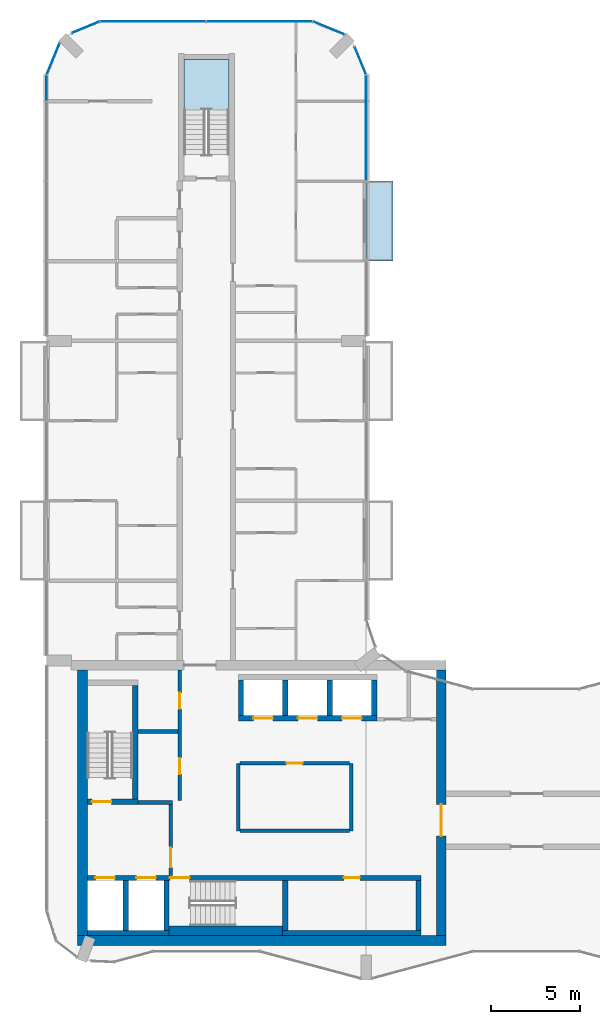
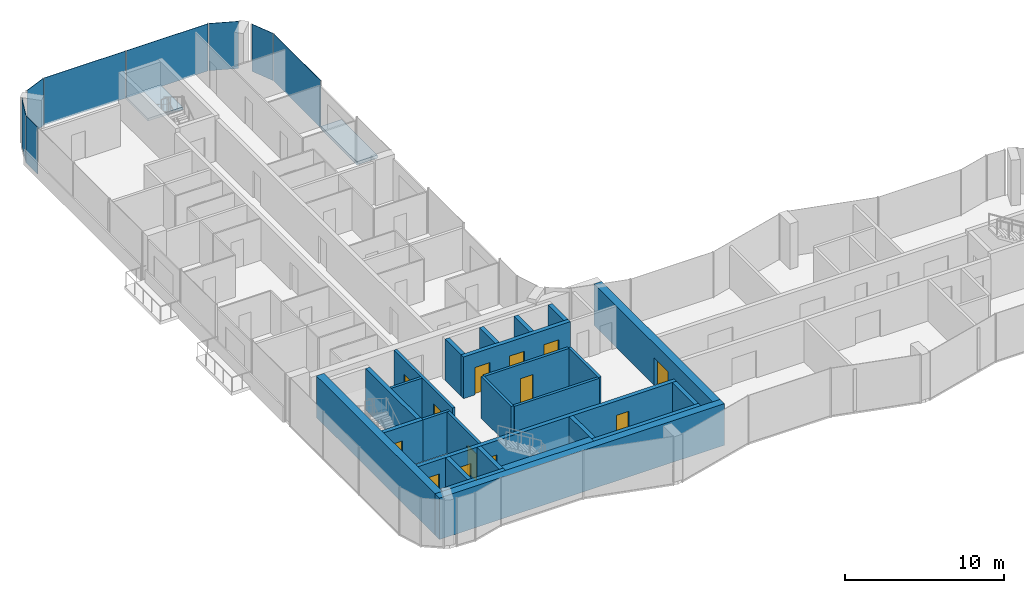
# One storey, part 9 of 16: 26 walls, 13 doors, 8 plates, 2 slabs, 13 openings, 8 elements without a shape of their own.
"""IFC4 building model written with IfcOpenShell, lengths in metres."""

from ifc_helpers import new_model, si_unit, direction, frame, frame_2d, origin, origin_2d, place, context, subcontext, project, spatial, polyline, rectangle, outline, extrude, material, layer, layer_set, type_object, element, fill, aggregate, save


model = new_model("IFC4")

# Units and contexts
model_context = context("Model", 3, precision=1e-05, world=origin(), true_north=direction((0.0, 1.0)))
body_context = subcontext(model_context, "Body", "Model", "MODEL_VIEW")
ifc_project = project(units=[si_unit("LENGTHUNIT", "METRE"), si_unit("AREAUNIT", "SQUARE_METRE"), si_unit("VOLUMEUNIT", "CUBIC_METRE"), si_unit("PLANEANGLEUNIT", "RADIAN"), si_unit("MASSUNIT", "GRAM", prefix="KILO")], contexts=[model_context])

# Site, building, storey
site_placement = place(None, origin())
site = spatial("IfcSite", under=ifc_project, at=site_placement, CompositionType="ELEMENT")
building_placement = place(site_placement, origin())
building = spatial("IfcBuilding", under=site, at=building_placement, Name="Plateau Cross Towers", CompositionType="ELEMENT")
storey_placement = place(building_placement, frame((0.0, 0.0, 181.39990234375)))
storey = spatial("IfcBuildingStorey", under=building, at=storey_placement, Name="L47", CompositionType="ELEMENT", Elevation=181.39990234375)

# Slab
ifc_material_1 = material(Name="Concrete C40/50", Category="concrete")
ifc_layer_1 = layer(ifc_material_1, 0.25)
ifc_layer_set_1 = layer_set([ifc_layer_1], Name="Concrete C40/50")
slab_type_1 = type_object("IfcSlabType", Name="Balcony slab 250", PredefinedType="FLOOR", material=ifc_layer_set_1)
slab_1_placement = place(storey_placement, frame((0.0, 0.0, -0.25)))
element("IfcSlab", 1, at=slab_1_placement, inside=storey, type_object=slab_type_1, Name="Balcony slab A-BAL-L47-05", PredefinedType="FLOOR", context=body_context, shape_type="SweptSolid", body=[
    extrude(outline(polyline([(19.5, 40.5), (19.5, 45.0), (18.0, 45.0), (18.0, 40.5), (19.5, 40.5)])), origin(), (0.0, 0.0, 1.0), 0.25),
])

# Curtain wall, plate
ifc_material_2 = material(Name="Dark low-iron glass", Category="glass")
ifc_layer_2 = layer(ifc_material_2, 0.239990234375)
ifc_layer_set_2 = layer_set([ifc_layer_2], Name="Dark low-iron glass")
curtain_wall_type = type_object("IfcCurtainWallType", Name="Curtain wall flush unitised CW-B", PredefinedType="NOTDEFINED", material=ifc_layer_set_2)
curtain_wall_1_placement = place(storey_placement, origin())
curtain_wall_1 = element("IfcCurtainWall", 2, at=curtain_wall_1_placement, inside=storey, type_object=curtain_wall_type, Name="ENV/A/L47/A180_450", PredefinedType="NOTDEFINED")
ifc_layer_3 = layer(ifc_material_2, 0.031982421875)
ifc_layer_set_3 = layer_set([ifc_layer_3], Name="Dark low-iron glass")
plate_type = type_object("IfcPlateType", Name="Glass panel 32 flush unitised", PredefinedType="CURTAIN_PANEL", material=ifc_layer_set_3)
plate_1_placement = place(storey_placement, frame((18.0, 48.0048828125, -0.1298828125), z_axis=(0.0, 0.0, 1.0), x_axis=(0.0, 1.0, 0.0)))
plate_1 = element("IfcPlate", 3, at=plate_1_placement, type_object=plate_type, Name="CW-B panel 1", PredefinedType="CURTAIN_PANEL", context=body_context, shape_type="SweptSolid", body=[
    extrude(rectangle(XDim=5.929931640625, YDim=0.031982421875, at=origin_2d()), origin(), (0.0, 0.0, 1.0), 3.6298828125),
])
aggregate(curtain_wall_1, [plate_1])

curtain_wall_2_placement = place(storey_placement, origin())
curtain_wall_2 = element("IfcCurtainWall", 4, at=curtain_wall_2_placement, inside=storey, type_object=curtain_wall_type, Name="ENV/A/L47/A180_510", PredefinedType="NOTDEFINED")
plate_2_placement = place(storey_placement, frame((17.66943359375, 51.79833984375, -0.1298828125), z_axis=(0.0, 0.0, 1.0), x_axis=(-0.382683612978, 0.923879457699, 0.0)))
plate_2 = element("IfcPlate", 5, at=plate_2_placement, type_object=plate_type, Name="CW-B panel 1", PredefinedType="CURTAIN_PANEL", context=body_context, shape_type="SweptSolid", body=[
    extrude(rectangle(XDim=1.668212890625, YDim=0.031982421875, at=origin_2d()), origin(), (0.0, 0.0, 1.0), 3.6298828125),
])
aggregate(curtain_wall_2, [plate_2])

curtain_wall_3_placement = place(storey_placement, origin())
curtain_wall_3 = element("IfcCurtainWall", 6, at=curtain_wall_3_placement, inside=storey, type_object=curtain_wall_type, Name="ENV/A/L47/A168_533", PredefinedType="NOTDEFINED")
plate_3_placement = place(storey_placement, frame((15.90283203125, 53.6259765625, -0.1298828125), z_axis=(0.0, 0.0, 1.0), x_axis=(-0.923879457699, 0.382683612978, 0.0)))
plate_3 = element("IfcPlate", 7, at=plate_3_placement, type_object=plate_type, Name="CW-B panel 1", PredefinedType="CURTAIN_PANEL", context=body_context, shape_type="SweptSolid", body=[
    extrude(rectangle(XDim=1.894775390625, YDim=0.031982421875, at=origin_2d()), origin(), (0.0, 0.0, 1.0), 3.6298828125),
])
aggregate(curtain_wall_3, [plate_3])

# Curtain wall, plates
curtain_wall_4_placement = place(storey_placement, origin())
curtain_wall_4 = element("IfcCurtainWall", 8, at=curtain_wall_4_placement, inside=storey, type_object=curtain_wall_type, Name="ENV/A/L47/A150_540", PredefinedType="NOTDEFINED")
plate_4_placement = place(storey_placement, frame((12.0, 54.0, -0.1298828125), z_axis=(0.0, 0.0, 1.0), x_axis=(-1.0, 0.0, 0.0)))
plate_4 = element("IfcPlate", 9, at=plate_4_placement, type_object=plate_type, Name="CW-B panel 1", PredefinedType="CURTAIN_PANEL", context=body_context, shape_type="SweptSolid", body=[
    extrude(rectangle(XDim=5.93994140625, YDim=0.031982421875, at=origin_2d()), origin(), (0.0, 0.0, 1.0), 3.6298828125),
])
plate_5_placement = place(storey_placement, frame((6.0, 54.0, -0.1298828125), z_axis=(0.0, 0.0, 1.0), x_axis=(-1.0, 0.0, 0.0)))
plate_5 = element("IfcPlate", 10, at=plate_5_placement, type_object=plate_type, Name="CW-B panel 2", PredefinedType="CURTAIN_PANEL", context=body_context, shape_type="SweptSolid", body=[
    extrude(rectangle(XDim=5.93994140625, YDim=0.031982421875, at=origin_2d()), origin(), (0.0, 0.0, 1.0), 3.6298828125),
])
aggregate(curtain_wall_4, [plate_4, plate_5])

# Curtain wall, plate
curtain_wall_5_placement = place(storey_placement, origin())
curtain_wall_5 = element("IfcCurtainWall", 11, at=curtain_wall_5_placement, inside=storey, type_object=curtain_wall_type, Name="ENV/A/L47/A30_540", PredefinedType="NOTDEFINED")
plate_6_placement = place(storey_placement, frame((2.20166015625, 53.66943359375, -0.1298828125), z_axis=(0.0, 0.0, 1.0), x_axis=(-0.923879457699, -0.382683612978, 0.0)))
plate_6 = element("IfcPlate", 12, at=plate_6_placement, type_object=plate_type, Name="CW-B panel 1", PredefinedType="CURTAIN_PANEL", context=body_context, shape_type="SweptSolid", body=[
    extrude(rectangle(XDim=1.668212890625, YDim=0.031982421875, at=origin_2d()), origin(), (0.0, 0.0, 1.0), 3.6298828125),
])
aggregate(curtain_wall_5, [plate_6])

curtain_wall_6_placement = place(storey_placement, origin())
curtain_wall_6 = element("IfcCurtainWall", 13, at=curtain_wall_6_placement, inside=storey, type_object=curtain_wall_type, Name="ENV/A/L47/A7_528", PredefinedType="NOTDEFINED")
plate_7_placement = place(storey_placement, frame((0.3740234375, 51.90283203125, -0.1298828125), z_axis=(0.0, 0.0, 1.0), x_axis=(-0.382683612978, -0.923879457699, 0.0)))
plate_7 = element("IfcPlate", 14, at=plate_7_placement, type_object=plate_type, Name="CW-B panel 1", PredefinedType="CURTAIN_PANEL", context=body_context, shape_type="SweptSolid", body=[
    extrude(rectangle(XDim=1.894775390625, YDim=0.031982421875, at=origin_2d()), origin(), (0.0, 0.0, 1.0), 3.6298828125),
])
aggregate(curtain_wall_6, [plate_7])

curtain_wall_7_placement = place(storey_placement, origin())
curtain_wall_7 = element("IfcCurtainWall", 15, at=curtain_wall_7_placement, inside=storey, type_object=curtain_wall_type, Name="ENV/A/L47/A0_510", PredefinedType="NOTDEFINED")
plate_8_placement = place(storey_placement, frame((0.0, 50.25, -0.1298828125), z_axis=(0.0, 0.0, 1.0), x_axis=(0.0, -1.0, 0.0)))
plate_8 = element("IfcPlate", 16, at=plate_8_placement, type_object=plate_type, Name="CW-B panel 1", PredefinedType="CURTAIN_PANEL", context=body_context, shape_type="SweptSolid", body=[
    extrude(rectangle(XDim=1.43994140625, YDim=0.031982421875, at=origin_2d()), origin(), (0.0, 0.0, 1.0), 3.6298828125),
])
aggregate(curtain_wall_7, [plate_8])

# Stair, slab
stair_type = type_object("IfcStairType", Name="ST-TWR", PredefinedType="HALF_TURN_STAIR", material=ifc_material_1)
stair_placement = place(storey_placement, origin())
stair = element("IfcStair", 17, at=stair_placement, inside=storey, type_object=stair_type, Name="L47 Protected Exit Stair N", PredefinedType="HALF_TURN_STAIR")
ifc_layer_4 = layer(ifc_material_1, 0.199951171875)
ifc_layer_set_4 = layer_set([ifc_layer_4], Name="Concrete C40/50")
slab_type_2 = type_object("IfcSlabType", Name="SL-LANDING", PredefinedType="LANDING", material=ifc_layer_set_4)
slab_2_placement = place(storey_placement, frame((0.0, 0.0, 1.550048828125)))
slab_2 = element("IfcSlab", 18, at=slab_2_placement, type_object=slab_type_2, Name="ES-N landing 1", PredefinedType="LANDING", context=body_context, shape_type="SweptSolid", body=[
    extrude(outline(polyline([(10.27490234375, 49.02001953125), (10.27490234375, 51.85009765625), (7.72509765625, 51.85009765625), (7.72509765625, 49.02001953125), (10.27490234375, 49.02001953125)])), origin(), (0.0, 0.0, 1.0), 0.199951171875),
])
aggregate(stair, [slab_2])

# Wall, opening, door
ifc_material_3 = material(Name="Concrete block, plastered both sides", Category="concrete")
ifc_layer_5 = layer(ifc_material_3, 0.199951171875)
ifc_layer_set_5 = layer_set([ifc_layer_5], Name="Concrete block, plastered both sides")
wall_type_1 = type_object("IfcWallType", Name="Core partition 200", PredefinedType="PARTITIONING", material=ifc_layer_set_5)
wall_1_placement = place(storey_placement, frame((7.0, 5.89990234375, 0.0), z_axis=(0.0, 0.0, 1.0), x_axis=(0.0, 1.0, 0.0)))
wall_1 = element("IfcWall", 19, at=wall_1_placement, inside=storey, type_object=wall_type_1, Name="Core partition", PredefinedType="PARTITIONING", context=body_context, shape_type="SweptSolid", body=[
    extrude(rectangle(XDim=4.0, YDim=0.199951171875, at=frame_2d((2.0, 0.0))), origin(), (0.0, 0.0, 1.0), 3.2001953125),
])
opening_1_placement = place(wall_1_placement, frame((0.449951171875, 0.0, 0.0)))
opening_1 = element("IfcOpeningElement", 20, at=opening_1_placement, cuts=wall_1, Name="Opening FFD", PredefinedType="OPENING", context=body_context, shape_type="SweptSolid", body=[
    extrude(rectangle(XDim=1.10009765625, YDim=2.10009765625, at=frame_2d((0.550048828125, 1.050048828125))), frame((0.0, 0.10986328125, 0.0), z_axis=(0.0, -1.0, 0.0), x_axis=(1.0, 0.0, 0.0)), (0.0, 0.0, 1.0), 0.219970703125),
])
ifc_material_4 = material(Name="Steel, fire-resisting leaf", Category="steel")
door_type_1 = type_object("IfcDoorType", Name="Firefighting lobby door 1100", OperationType="NOTDEFINED", PredefinedType="DOOR", material=ifc_material_4)
door_1_placement = place(opening_1_placement, origin())
door_1 = element("IfcDoor", 21, at=door_1_placement, inside=storey, type_object=door_type_1, Name="Firefighting lobby door FFD", OperationType="SINGLE_SWING_LEFT", OverallHeight=2.10009765625, OverallWidth=1.10009765625, PredefinedType="DOOR", context=body_context, shape_type="SweptSolid", body=[
    extrude(rectangle(XDim=1.10009765625, YDim=2.10009765625, at=frame_2d((0.550048828125, 1.050048828125))), frame((0.0, 0.02490234375, 0.0), z_axis=(0.0, -1.0, 0.0), x_axis=(1.0, 0.0, 0.0)), (0.0, 0.0, 1.0), 0.050048828125),
])
fill(opening_1, door_1)

# Walls
wall_2_placement = place(storey_placement, frame((5.14990234375, 10.0, 0.0), z_axis=(0.0, 0.0, 1.0), x_axis=(1.0, 0.0, 0.0)))
element("IfcWall", 22, at=wall_2_placement, inside=storey, type_object=wall_type_1, Name="Core partition", PredefinedType="PARTITIONING", context=body_context, shape_type="SweptSolid", body=[
    extrude(rectangle(XDim=1.9501953125, YDim=0.199951171875, at=frame_2d((0.97509765625, 0.0))), origin(), (0.0, 0.0, 1.0), 3.2001953125),
])
wall_3_placement = place(storey_placement, frame((10.800048828125, 8.39990234375, 0.0), z_axis=(0.0, 0.0, 1.0), x_axis=(0.0, 1.0, 0.0)))
element("IfcWall", 23, at=wall_3_placement, inside=storey, type_object=wall_type_1, Name="Core partition", PredefinedType="PARTITIONING", context=body_context, shape_type="SweptSolid", body=[
    extrude(rectangle(XDim=3.800048828125, YDim=0.199951171875, at=frame_2d((1.89990234375, 0.0))), origin(), (0.0, 0.0, 1.0), 3.2001953125),
])
wall_4_placement = place(storey_placement, frame((10.89990234375, 8.39990234375, 0.0), z_axis=(0.0, 0.0, 1.0), x_axis=(1.0, 0.0, 0.0)))
element("IfcWall", 24, at=wall_4_placement, inside=storey, type_object=wall_type_1, Name="Core partition", PredefinedType="PARTITIONING", context=body_context, shape_type="SweptSolid", body=[
    extrude(rectangle(XDim=6.150146484375, YDim=0.199951171875, at=frame_2d((3.0751953125, 0.0))), origin(), (0.0, 0.0, 1.0), 3.2001953125),
])
wall_5_placement = place(storey_placement, frame((17.14990234375, 8.39990234375, 0.0), z_axis=(0.0, 0.0, 1.0), x_axis=(0.0, 1.0, 0.0)))
element("IfcWall", 25, at=wall_5_placement, inside=storey, type_object=wall_type_1, Name="Core partition", PredefinedType="PARTITIONING", context=body_context, shape_type="SweptSolid", body=[
    extrude(rectangle(XDim=3.800048828125, YDim=0.199951171875, at=frame_2d((1.89990234375, 0.0))), origin(), (0.0, 0.0, 1.0), 3.2001953125),
])

# Wall, opening, door
wall_6_placement = place(storey_placement, frame((10.89990234375, 12.199951171875, 0.0), z_axis=(0.0, 0.0, 1.0), x_axis=(1.0, 0.0, 0.0)))
wall_6 = element("IfcWall", 26, at=wall_6_placement, inside=storey, type_object=wall_type_1, Name="Core partition", PredefinedType="PARTITIONING", context=body_context, shape_type="SweptSolid", body=[
    extrude(rectangle(XDim=6.150146484375, YDim=0.199951171875, at=frame_2d((3.0751953125, 0.0))), origin(), (0.0, 0.0, 1.0), 3.2001953125),
])
opening_2_placement = place(wall_6_placement, frame((2.625, 0.0, 0.0)))
opening_2 = element("IfcOpeningElement", 27, at=opening_2_placement, cuts=wall_6, Name="Opening RD1", PredefinedType="OPENING", context=body_context, shape_type="SweptSolid", body=[
    extrude(rectangle(XDim=0.89990234375, YDim=2.10009765625, at=frame_2d((0.449951171875, 1.050048828125))), frame((0.0, 0.10986328125, 0.0), z_axis=(0.0, -1.0, 0.0), x_axis=(1.0, 0.0, 0.0)), (0.0, 0.0, 1.0), 0.219970703125),
])
ifc_material_5 = material(Name="Timber, fire-resisting leaf", Category="wood")
door_type_2 = type_object("IfcDoorType", Name="Core service door 900", OperationType="NOTDEFINED", PredefinedType="DOOR", material=ifc_material_5)
door_2_placement = place(opening_2_placement, origin())
door_2 = element("IfcDoor", 28, at=door_2_placement, inside=storey, type_object=door_type_2, Name="Core service door RD1", OperationType="SINGLE_SWING_LEFT", OverallHeight=2.10009765625, OverallWidth=0.89990234375, PredefinedType="DOOR", context=body_context, shape_type="SweptSolid", body=[
    extrude(rectangle(XDim=0.89990234375, YDim=2.10009765625, at=frame_2d((0.449951171875, 1.050048828125))), frame((0.0, 0.02490234375, 0.0), z_axis=(0.0, -1.0, 0.0), x_axis=(1.0, 0.0, 0.0)), (0.0, 0.0, 1.0), 0.050048828125),
])
fill(opening_2, door_2)

# Wall, openings, doors
wall_7_placement = place(storey_placement, frame((7.5, 10.10009765625, 0.0), z_axis=(0.0, 0.0, 1.0), x_axis=(0.0, 1.0, 0.0)))
wall_7 = element("IfcWall", 29, at=wall_7_placement, inside=storey, type_object=wall_type_1, Name="Core partition", PredefinedType="PARTITIONING", context=body_context, shape_type="SweptSolid", body=[
    extrude(rectangle(XDim=7.349853515625, YDim=0.199951171875, at=frame_2d((3.6748046875, 0.0))), origin(), (0.0, 0.0, 1.0), 3.2001953125),
])
opening_3_placement = place(wall_7_placement, frame((1.5, 0.0, 0.0)))
opening_3 = element("IfcOpeningElement", 30, at=opening_3_placement, cuts=wall_7, Name="Opening RD1", PredefinedType="OPENING", context=body_context, shape_type="SweptSolid", body=[
    extrude(rectangle(XDim=0.89990234375, YDim=2.10009765625, at=frame_2d((0.449951171875, 1.050048828125))), frame((0.0, 0.10986328125, 0.0), z_axis=(0.0, -1.0, 0.0), x_axis=(1.0, 0.0, 0.0)), (0.0, 0.0, 1.0), 0.219970703125),
])
opening_4_placement = place(wall_7_placement, frame((5.175048828125, 0.0, 0.0)))
opening_4 = element("IfcOpeningElement", 31, at=opening_4_placement, cuts=wall_7, Name="Opening RD1", PredefinedType="OPENING", context=body_context, shape_type="SweptSolid", body=[
    extrude(rectangle(XDim=0.89990234375, YDim=2.10009765625, at=frame_2d((0.449951171875, 1.050048828125))), frame((0.0, 0.10986328125, 0.0), z_axis=(0.0, -1.0, 0.0), x_axis=(1.0, 0.0, 0.0)), (0.0, 0.0, 1.0), 0.219970703125),
])
door_3_placement = place(opening_3_placement, origin())
door_3 = element("IfcDoor", 32, at=door_3_placement, inside=storey, type_object=door_type_2, Name="Core service door RD1", OperationType="SINGLE_SWING_RIGHT", OverallHeight=2.10009765625, OverallWidth=0.89990234375, PredefinedType="DOOR", context=body_context, shape_type="SweptSolid", body=[
    extrude(rectangle(XDim=0.89990234375, YDim=2.10009765625, at=frame_2d((0.449951171875, 1.050048828125))), frame((0.0, 0.02490234375, 0.0), z_axis=(0.0, -1.0, 0.0), x_axis=(1.0, 0.0, 0.0)), (0.0, 0.0, 1.0), 0.050048828125),
])
fill(opening_3, door_3)
door_4_placement = place(opening_4_placement, origin())
door_4 = element("IfcDoor", 33, at=door_4_placement, inside=storey, type_object=door_type_2, Name="Core service door RD1", OperationType="SINGLE_SWING_RIGHT", OverallHeight=2.10009765625, OverallWidth=0.89990234375, PredefinedType="DOOR", context=body_context, shape_type="SweptSolid", body=[
    extrude(rectangle(XDim=0.89990234375, YDim=2.10009765625, at=frame_2d((0.449951171875, 1.050048828125))), frame((0.0, 0.02490234375, 0.0), z_axis=(0.0, -1.0, 0.0), x_axis=(1.0, 0.0, 0.0)), (0.0, 0.0, 1.0), 0.050048828125),
])
fill(opening_4, door_4)

# Walls
wall_8_placement = place(storey_placement, frame((5.14990234375, 14.0, 0.0), z_axis=(0.0, 0.0, 1.0), x_axis=(1.0, 0.0, 0.0)))
element("IfcWall", 34, at=wall_8_placement, inside=storey, type_object=wall_type_1, Name="Core partition", PredefinedType="PARTITIONING", context=body_context, shape_type="SweptSolid", body=[
    extrude(rectangle(XDim=2.25, YDim=0.199951171875, at=frame_2d((1.125, 0.0))), origin(), (0.0, 0.0, 1.0), 3.2001953125),
])
ifc_material_6 = material(Name="Concrete C60/75", Category="concrete")
ifc_layer_6 = layer(ifc_material_6, 0.300048828125)
ifc_layer_set_6 = layer_set([ifc_layer_6], Name="Concrete C60/75")
wall_type_2 = type_object("IfcWallType", Name="Core shaft wall 300", PredefinedType="SHEAR", material=ifc_layer_set_6)
wall_9_placement = place(storey_placement, frame((2.300048828125, 2.64990234375, 0.0), z_axis=(0.0, 0.0, 1.0), x_axis=(1.0, 0.0, 0.0)))
element("IfcWall", 35, at=wall_9_placement, inside=storey, type_object=wall_type_2, Name="A-sb-back1@L47", PredefinedType="SHEAR", context=body_context, shape_type="SweptSolid", body=[
    extrude(rectangle(XDim=4.599853515625, YDim=0.300048828125, at=frame_2d((2.2998046875, 0.0))), origin(), (0.0, 0.0, 1.0), 3.2001953125),
])
wall_10_placement = place(storey_placement, frame((13.300048828125, 2.64990234375, 0.0), z_axis=(0.0, 0.0, 1.0), x_axis=(1.0, 0.0, 0.0)))
element("IfcWall", 36, at=wall_10_placement, inside=storey, type_object=wall_type_2, Name="A-sb-back3@L47", PredefinedType="SHEAR", context=body_context, shape_type="SweptSolid", body=[
    extrude(rectangle(XDim=7.800048828125, YDim=0.300048828125, at=frame_2d((3.89990234375, 0.0))), origin(), (0.0, 0.0, 1.0), 3.2001953125),
])
for number, where, z_axis, x_axis, name in (
    (37, (4.449951171875, 2.800048828125, 0.0), (0.0, 0.0, 1.0), (0.0, 1.0, 0.0), "A-sb-v1@L47"),
    (38, (6.75, 2.800048828125, 0.0), (0.0, 0.0, 1.0), (0.0, 1.0, 0.0), "A-sb-v2@L47"),
    (39, (13.449951171875, 2.800048828125, 0.0), (0.0, 0.0, 1.0), (0.0, 1.0, 0.0), "A-sb-v3@L47"),
    (40, (20.949951171875, 2.800048828125, 0.0), (0.0, 0.0, 1.0), (0.0, 1.0, 0.0), "A-sb-v6@L47"),
):
    element("IfcWall", number, at=place(storey_placement, frame(where, z_axis=z_axis, x_axis=x_axis)), inside=storey, type_object=wall_type_2, Name=name, PredefinedType="SHEAR", context=body_context, shape_type="SweptSolid", body=[
        extrude(rectangle(XDim=2.800048828125, YDim=0.300048828125, at=frame_2d((1.39990234375, 0.0))), origin(), (0.0, 0.0, 1.0), 3.2001953125),
    ])

# Wall, openings, doors
wall_11_placement = place(storey_placement, frame((2.300048828125, 5.75, 0.0), z_axis=(0.0, 0.0, 1.0), x_axis=(1.0, 0.0, 0.0)))
wall_11 = element("IfcWall", 41, at=wall_11_placement, inside=storey, type_object=wall_type_2, Name="A-sb-front@L47", PredefinedType="SHEAR", context=body_context, shape_type="SweptSolid", body=[
    extrude(rectangle(XDim=18.800048828125, YDim=0.300048828125, at=frame_2d((9.39990234375, 0.0))), origin(), (0.0, 0.0, 1.0), 3.2001953125),
])
opening_5_placement = place(wall_11_placement, frame((4.64990234375, 0.0, 0.0)))
opening_5 = element("IfcOpeningElement", 42, at=opening_5_placement, cuts=wall_11, Name="Opening SD", PredefinedType="OPENING", context=body_context, shape_type="SweptSolid", body=[
    extrude(rectangle(XDim=1.10009765625, YDim=2.10009765625, at=frame_2d((0.550048828125, 1.050048828125))), frame((0.0, 0.159912109375, 0.0), z_axis=(0.0, -1.0, 0.0), x_axis=(1.0, 0.0, 0.0)), (0.0, 0.0, 1.0), 0.320068359375),
])
opening_6_placement = place(wall_11_placement, frame((0.449951171875, 0.0, 0.0)))
opening_6 = element("IfcOpeningElement", 43, at=opening_6_placement, cuts=wall_11, Name="Opening LD", PredefinedType="OPENING", context=body_context, shape_type="SweptSolid", body=[
    extrude(rectangle(XDim=1.10009765625, YDim=2.10009765625, at=frame_2d((0.550048828125, 1.050048828125))), frame((0.0, 0.159912109375, 0.0), z_axis=(0.0, -1.0, 0.0), x_axis=(1.0, 0.0, 0.0)), (0.0, 0.0, 1.0), 0.320068359375),
])
opening_7_placement = place(wall_11_placement, frame((2.75, 0.0, 0.0)))
opening_7 = element("IfcOpeningElement", 44, at=opening_7_placement, cuts=wall_11, Name="Opening LD", PredefinedType="OPENING", context=body_context, shape_type="SweptSolid", body=[
    extrude(rectangle(XDim=1.10009765625, YDim=2.10009765625, at=frame_2d((0.550048828125, 1.050048828125))), frame((0.0, 0.159912109375, 0.0), z_axis=(0.0, -1.0, 0.0), x_axis=(1.0, 0.0, 0.0)), (0.0, 0.0, 1.0), 0.320068359375),
])
opening_8_placement = place(wall_11_placement, frame((14.449951171875, 0.0, 0.0)))
opening_8 = element("IfcOpeningElement", 45, at=opening_8_placement, cuts=wall_11, Name="Opening RD2", PredefinedType="OPENING", context=body_context, shape_type="SweptSolid", body=[
    extrude(rectangle(XDim=0.89990234375, YDim=2.10009765625, at=frame_2d((0.449951171875, 1.050048828125))), frame((0.0, 0.159912109375, 0.0), z_axis=(0.0, -1.0, 0.0), x_axis=(1.0, 0.0, 0.0)), (0.0, 0.0, 1.0), 0.320068359375),
])
door_type_3 = type_object("IfcDoorType", Name="Core riser door 900", OperationType="NOTDEFINED", PredefinedType="DOOR", material=ifc_material_4)
door_5_placement = place(opening_8_placement, origin())
door_5 = element("IfcDoor", 46, at=door_5_placement, inside=storey, type_object=door_type_3, Name="Core riser door RD2", OperationType="SINGLE_SWING_LEFT", OverallHeight=2.10009765625, OverallWidth=0.89990234375, PredefinedType="DOOR", context=body_context, shape_type="SweptSolid", body=[
    extrude(rectangle(XDim=0.89990234375, YDim=2.10009765625, at=frame_2d((0.449951171875, 1.050048828125))), frame((0.0, 0.02490234375, 0.0), z_axis=(0.0, -1.0, 0.0), x_axis=(1.0, 0.0, 0.0)), (0.0, 0.0, 1.0), 0.050048828125),
])
fill(opening_8, door_5)
ifc_material_7 = material(Name="Stainless steel, fire-resisting sliding leaves", Category="steel")
door_type_4 = type_object("IfcDoorType", Name="Lift landing door 1100", OperationType="NOTDEFINED", PredefinedType="DOOR", material=ifc_material_7)
door_6_placement = place(opening_6_placement, origin())
door_6 = element("IfcDoor", 47, at=door_6_placement, inside=storey, type_object=door_type_4, Name="Lift landing door LD", OperationType="DOUBLE_DOOR_SLIDING", OverallHeight=2.10009765625, OverallWidth=1.10009765625, PredefinedType="DOOR", context=body_context, shape_type="SweptSolid", body=[
    extrude(rectangle(XDim=1.10009765625, YDim=2.10009765625, at=frame_2d((0.550048828125, 1.050048828125))), frame((0.0, 0.02490234375, 0.0), z_axis=(0.0, -1.0, 0.0), x_axis=(1.0, 0.0, 0.0)), (0.0, 0.0, 1.0), 0.050048828125),
])
fill(opening_6, door_6)
door_7_placement = place(opening_7_placement, origin())
door_7 = element("IfcDoor", 48, at=door_7_placement, inside=storey, type_object=door_type_4, Name="Lift landing door LD", OperationType="DOUBLE_DOOR_SLIDING", OverallHeight=2.10009765625, OverallWidth=1.10009765625, PredefinedType="DOOR", context=body_context, shape_type="SweptSolid", body=[
    extrude(rectangle(XDim=1.10009765625, YDim=2.10009765625, at=frame_2d((0.550048828125, 1.050048828125))), frame((0.0, 0.02490234375, 0.0), z_axis=(0.0, -1.0, 0.0), x_axis=(1.0, 0.0, 0.0)), (0.0, 0.0, 1.0), 0.050048828125),
])
fill(opening_7, door_7)
door_type_5 = type_object("IfcDoorType", Name="Stair door 1100", OperationType="NOTDEFINED", PredefinedType="DOOR", material=ifc_material_4)
door_8_placement = place(opening_5_placement, origin())
door_8 = element("IfcDoor", 49, at=door_8_placement, inside=storey, type_object=door_type_5, Name="Stair door SD", OperationType="SINGLE_SWING_LEFT", OverallHeight=2.10009765625, OverallWidth=1.10009765625, PredefinedType="DOOR", context=body_context, shape_type="SweptSolid", body=[
    extrude(rectangle(XDim=1.10009765625, YDim=2.10009765625, at=frame_2d((0.550048828125, 1.050048828125))), frame((0.0, 0.02490234375, 0.0), z_axis=(0.0, -1.0, 0.0), x_axis=(1.0, 0.0, 0.0)), (0.0, 0.0, 1.0), 0.050048828125),
])
fill(opening_5, door_8)

# Wall, opening, door
wall_12_placement = place(storey_placement, frame((2.300048828125, 10.050048828125, 0.0), z_axis=(0.0, 0.0, 1.0), x_axis=(1.0, 0.0, 0.0)))
wall_12 = element("IfcWall", 50, at=wall_12_placement, inside=storey, type_object=wall_type_2, Name="A-st1-S@L47", PredefinedType="SHEAR", context=body_context, shape_type="SweptSolid", body=[
    extrude(rectangle(XDim=2.849853515625, YDim=0.300048828125, at=frame_2d((1.4248046875, 0.0))), origin(), (0.0, 0.0, 1.0), 3.2001953125),
])
opening_9_placement = place(wall_12_placement, frame((0.25, 0.0, 0.0)))
opening_9 = element("IfcOpeningElement", 51, at=opening_9_placement, cuts=wall_12, Name="Opening SD", PredefinedType="OPENING", context=body_context, shape_type="SweptSolid", body=[
    extrude(rectangle(XDim=1.10009765625, YDim=2.10009765625, at=frame_2d((0.550048828125, 1.050048828125))), frame((0.0, 0.159912109375, 0.0), z_axis=(0.0, -1.0, 0.0), x_axis=(1.0, 0.0, 0.0)), (0.0, 0.0, 1.0), 0.320068359375),
])
door_9_placement = place(opening_9_placement, origin())
door_9 = element("IfcDoor", 52, at=door_9_placement, inside=storey, type_object=door_type_5, Name="Stair door SD", OperationType="SINGLE_SWING_RIGHT", OverallHeight=2.10009765625, OverallWidth=1.10009765625, PredefinedType="DOOR", context=body_context, shape_type="SweptSolid", body=[
    extrude(rectangle(XDim=1.10009765625, YDim=2.10009765625, at=frame_2d((0.550048828125, 1.050048828125))), frame((0.0, 0.02490234375, 0.0), z_axis=(0.0, -1.0, 0.0), x_axis=(1.0, 0.0, 0.0)), (0.0, 0.0, 1.0), 0.050048828125),
])
fill(opening_9, door_9)

# Wall
wall_13_placement = place(storey_placement, frame((5.0, 10.199951171875, 0.0), z_axis=(0.0, 0.0, 1.0), x_axis=(0.0, 1.0, 0.0)))
element("IfcWall", 53, at=wall_13_placement, inside=storey, type_object=wall_type_2, Name="A-st1-E@L47", PredefinedType="SHEAR", context=body_context, shape_type="SweptSolid", body=[
    extrude(rectangle(XDim=6.400146484375, YDim=0.300048828125, at=frame_2d((3.2001953125, 0.0))), origin(), (0.0, 0.0, 1.0), 3.2001953125),
])

# Wall, openings, doors
wall_14_placement = place(storey_placement, frame((10.800048828125, 14.75, 0.0), z_axis=(0.0, 0.0, 1.0), x_axis=(1.0, 0.0, 0.0)))
wall_14 = element("IfcWall", 54, at=wall_14_placement, inside=storey, type_object=wall_type_2, Name="A-nb-front@L47", PredefinedType="SHEAR", context=body_context, shape_type="SweptSolid", body=[
    extrude(rectangle(XDim=7.800048828125, YDim=0.300048828125, at=frame_2d((3.89990234375, 0.0))), origin(), (0.0, 0.0, 1.0), 3.2001953125),
])
opening_10_placement = place(wall_14_placement, frame((0.85009765625, 0.0, 0.0)))
opening_10 = element("IfcOpeningElement", 55, at=opening_10_placement, cuts=wall_14, Name="Opening LD", PredefinedType="OPENING", context=body_context, shape_type="SweptSolid", body=[
    extrude(rectangle(XDim=1.10009765625, YDim=2.10009765625, at=frame_2d((0.550048828125, 1.050048828125))), frame((0.0, 0.159912109375, 0.0), z_axis=(0.0, -1.0, 0.0), x_axis=(1.0, 0.0, 0.0)), (0.0, 0.0, 1.0), 0.320068359375),
])
opening_11_placement = place(wall_14_placement, frame((3.35009765625, 0.0, 0.0)))
opening_11 = element("IfcOpeningElement", 56, at=opening_11_placement, cuts=wall_14, Name="Opening LD", PredefinedType="OPENING", context=body_context, shape_type="SweptSolid", body=[
    extrude(rectangle(XDim=1.10009765625, YDim=2.10009765625, at=frame_2d((0.550048828125, 1.050048828125))), frame((0.0, 0.159912109375, 0.0), z_axis=(0.0, -1.0, 0.0), x_axis=(1.0, 0.0, 0.0)), (0.0, 0.0, 1.0), 0.320068359375),
])
opening_12_placement = place(wall_14_placement, frame((5.85009765625, 0.0, 0.0)))
opening_12 = element("IfcOpeningElement", 57, at=opening_12_placement, cuts=wall_14, Name="Opening LD", PredefinedType="OPENING", context=body_context, shape_type="SweptSolid", body=[
    extrude(rectangle(XDim=1.10009765625, YDim=2.10009765625, at=frame_2d((0.550048828125, 1.050048828125))), frame((0.0, 0.159912109375, 0.0), z_axis=(0.0, -1.0, 0.0), x_axis=(1.0, 0.0, 0.0)), (0.0, 0.0, 1.0), 0.320068359375),
])
door_10_placement = place(opening_10_placement, origin())
door_10 = element("IfcDoor", 58, at=door_10_placement, inside=storey, type_object=door_type_4, Name="Lift landing door LD", OperationType="DOUBLE_DOOR_SLIDING", OverallHeight=2.10009765625, OverallWidth=1.10009765625, PredefinedType="DOOR", context=body_context, shape_type="SweptSolid", body=[
    extrude(rectangle(XDim=1.10009765625, YDim=2.10009765625, at=frame_2d((0.550048828125, 1.050048828125))), frame((0.0, 0.02490234375, 0.0), z_axis=(0.0, -1.0, 0.0), x_axis=(1.0, 0.0, 0.0)), (0.0, 0.0, 1.0), 0.050048828125),
])
fill(opening_10, door_10)
door_11_placement = place(opening_11_placement, origin())
door_11 = element("IfcDoor", 59, at=door_11_placement, inside=storey, type_object=door_type_4, Name="Lift landing door LD", OperationType="DOUBLE_DOOR_SLIDING", OverallHeight=2.10009765625, OverallWidth=1.10009765625, PredefinedType="DOOR", context=body_context, shape_type="SweptSolid", body=[
    extrude(rectangle(XDim=1.10009765625, YDim=2.10009765625, at=frame_2d((0.550048828125, 1.050048828125))), frame((0.0, 0.02490234375, 0.0), z_axis=(0.0, -1.0, 0.0), x_axis=(1.0, 0.0, 0.0)), (0.0, 0.0, 1.0), 0.050048828125),
])
fill(opening_11, door_11)
door_12_placement = place(opening_12_placement, origin())
door_12 = element("IfcDoor", 60, at=door_12_placement, inside=storey, type_object=door_type_4, Name="Lift landing door LD", OperationType="DOUBLE_DOOR_SLIDING", OverallHeight=2.10009765625, OverallWidth=1.10009765625, PredefinedType="DOOR", context=body_context, shape_type="SweptSolid", body=[
    extrude(rectangle(XDim=1.10009765625, YDim=2.10009765625, at=frame_2d((0.550048828125, 1.050048828125))), frame((0.0, 0.02490234375, 0.0), z_axis=(0.0, -1.0, 0.0), x_axis=(1.0, 0.0, 0.0)), (0.0, 0.0, 1.0), 0.050048828125),
])
fill(opening_12, door_12)

# Walls
for number, where, z_axis, x_axis, name in (
    (61, (10.949951171875, 14.89990234375, 0.0), (0.0, 0.0, 1.0), (0.0, 1.0, 0.0), "A-nb-v1@L47"),
    (62, (13.449951171875, 14.89990234375, 0.0), (0.0, 0.0, 1.0), (0.0, 1.0, 0.0), "A-nb-v2@L47"),
    (63, (15.949951171875, 14.89990234375, 0.0), (0.0, 0.0, 1.0), (0.0, 1.0, 0.0), "A-nb-v3@L47"),
    (64, (18.449951171875, 14.89990234375, 0.0), (0.0, 0.0, 1.0), (0.0, 1.0, 0.0), "A-nb-v4@L47"),
):
    element("IfcWall", number, at=place(storey_placement, frame(where, z_axis=z_axis, x_axis=x_axis)), inside=storey, type_object=wall_type_2, Name=name, PredefinedType="SHEAR", context=body_context, shape_type="SweptSolid", body=[
        extrude(rectangle(XDim=2.0, YDim=0.300048828125, at=frame_2d((1.0, 0.0))), origin(), (0.0, 0.0, 1.0), 3.2001953125),
    ])
ifc_layer_7 = layer(ifc_material_6, 0.550048828125)
ifc_layer_set_7 = layer_set([ifc_layer_7], Name="Concrete C60/75")
wall_type_3 = type_object("IfcWallType", Name="Core shaft wall 550", PredefinedType="SHEAR", material=ifc_layer_set_7)
wall_15_placement = place(storey_placement, frame((6.89990234375, 2.77490234375, 0.0), z_axis=(0.0, 0.0, 1.0), x_axis=(1.0, 0.0, 0.0)))
element("IfcWall", 65, at=wall_15_placement, inside=storey, type_object=wall_type_3, Name="A-sb-back2@L47", PredefinedType="SHEAR", context=body_context, shape_type="SweptSolid", body=[
    extrude(rectangle(XDim=6.400146484375, YDim=0.550048828125, at=frame_2d((3.2001953125, 0.0))), origin(), (0.0, 0.0, 1.0), 3.2001953125),
])
ifc_layer_8 = layer(ifc_material_6, 0.550048828125)
ifc_layer_set_8 = layer_set([ifc_layer_8], Name="Concrete C60/75")
wall_type_4 = type_object("IfcWallType", Name="Core shell wall 550", PredefinedType="SHEAR", material=ifc_layer_set_8)
wall_16_placement = place(storey_placement, frame((1.75, 2.22509765625, 0.0), z_axis=(0.0, 0.0, 1.0), x_axis=(1.0, 0.0, 0.0)))
element("IfcWall", 66, at=wall_16_placement, inside=storey, type_object=wall_type_4, Name="A-core-S@L47", PredefinedType="SHEAR", context=body_context, shape_type="SweptSolid", body=[
    extrude(rectangle(XDim=20.75, YDim=0.550048828125, at=frame_2d((10.375, 0.0))), origin(), (0.0, 0.0, 1.0), 3.2001953125),
])
wall_17_placement = place(storey_placement, frame((2.02490234375, 2.5, 0.0), z_axis=(0.0, 0.0, 1.0), x_axis=(0.0, 1.0, 0.0)))
element("IfcWall", 67, at=wall_17_placement, inside=storey, type_object=wall_type_4, Name="A-core-W@L47", PredefinedType="SHEAR", context=body_context, shape_type="SweptSolid", body=[
    extrude(rectangle(XDim=14.949951171875, YDim=0.550048828125, at=frame_2d((7.47509765625, 0.0))), origin(), (0.0, 0.0, 1.0), 3.2001953125),
])

# Wall, opening, door
wall_18_placement = place(storey_placement, frame((22.22509765625, 2.5, 0.0), z_axis=(0.0, 0.0, 1.0), x_axis=(0.0, 1.0, 0.0)))
wall_18 = element("IfcWall", 68, at=wall_18_placement, inside=storey, type_object=wall_type_4, Name="A-core-E@L47", PredefinedType="SHEAR", context=body_context, shape_type="SweptSolid", body=[
    extrude(rectangle(XDim=14.949951171875, YDim=0.550048828125, at=frame_2d((7.47509765625, 0.0))), origin(), (0.0, 0.0, 1.0), 3.2001953125),
])
opening_13_placement = place(wall_18_placement, frame((5.60009765625, 0.0, 0.0)))
opening_13 = element("IfcOpeningElement", 69, at=opening_13_placement, cuts=wall_18, Name="Opening CD", PredefinedType="OPENING", context=body_context, shape_type="SweptSolid", body=[
    extrude(rectangle(XDim=1.800048828125, YDim=2.10009765625, at=frame_2d((0.89990234375, 1.050048828125))), frame((0.0, 0.284912109375, 0.0), z_axis=(0.0, -1.0, 0.0), x_axis=(1.0, 0.0, 0.0)), (0.0, 0.0, 1.0), 0.570068359375),
])
ifc_material_8 = material(Name="Steel, fire-resisting leaves", Category="steel")
door_type_6 = type_object("IfcDoorType", Name="Corridor door pair 1800", OperationType="NOTDEFINED", PredefinedType="DOOR", material=ifc_material_8)
door_13_placement = place(opening_13_placement, origin())
door_13 = element("IfcDoor", 70, at=door_13_placement, inside=storey, type_object=door_type_6, Name="Corridor door pair CD", OperationType="DOUBLE_DOOR_SINGLE_SWING", OverallHeight=2.10009765625, OverallWidth=1.800048828125, PredefinedType="DOOR", context=body_context, shape_type="SweptSolid", body=[
    extrude(rectangle(XDim=1.800048828125, YDim=2.10009765625, at=frame_2d((0.89990234375, 1.050048828125))), frame((0.0, 0.02490234375, 0.0), z_axis=(0.0, -1.0, 0.0), x_axis=(1.0, 0.0, 0.0)), (0.0, 0.0, 1.0), 0.050048828125),
])
fill(opening_13, door_13)

save(model, "model.ifc")
